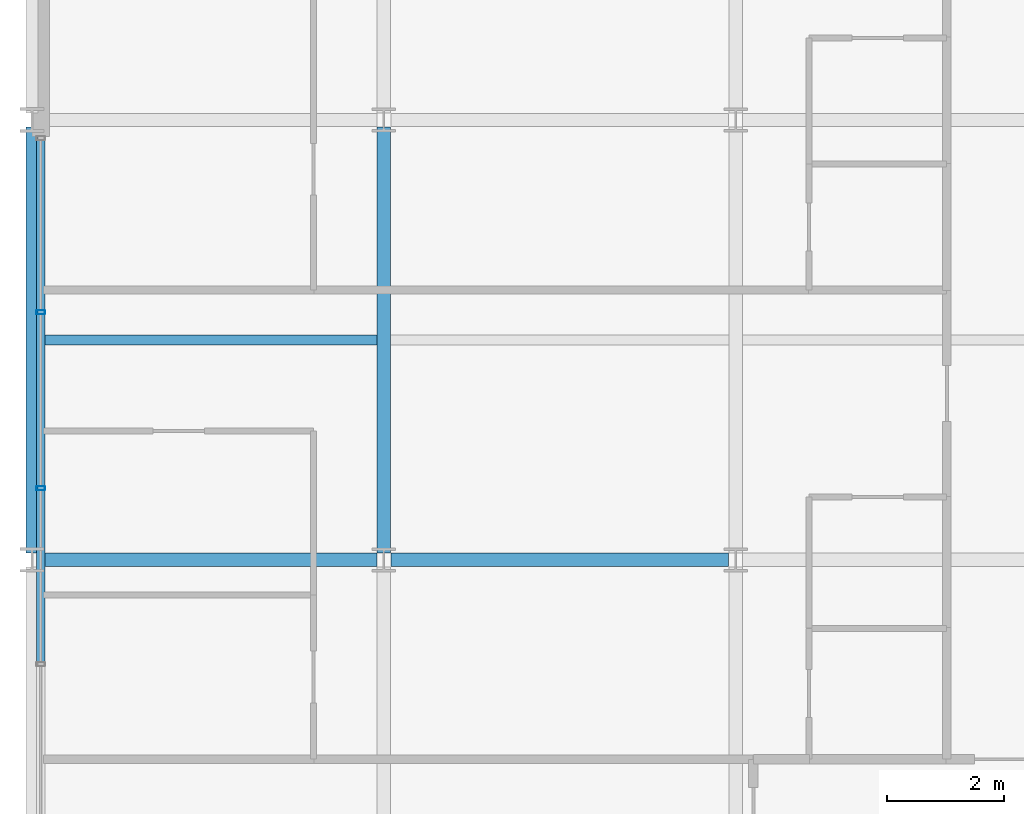
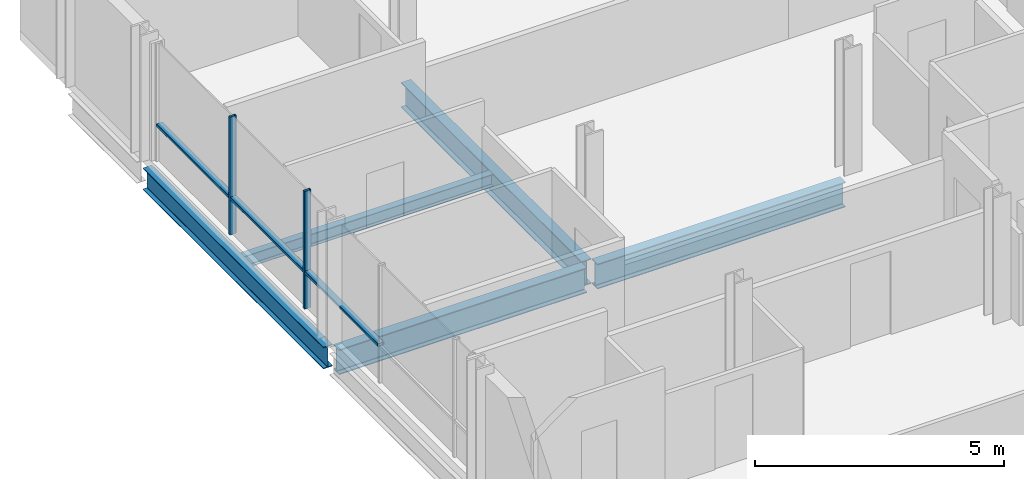
# One storey, part 7 of 41: 5 beams, 5 members, 1 element without a shape of its own.
"""IFC4 building model written with IfcOpenShell, lengths in metres."""

from ifc_helpers import new_model, si_unit, direction, frame, origin, origin_2d, place, context, subcontext, project, spatial, hollow_rectangle, i_section, extrude, material, layer, layer_set, material_profile, profile_set, type_object, element, aggregate, save


model = new_model("IFC4")

# Units and contexts
model_context = context("Model", 3, precision=1e-05, world=origin(), true_north=direction((0.0, 1.0)))
body_context = subcontext(model_context, "Body", "Model", "MODEL_VIEW")
ifc_project = project(units=[si_unit("LENGTHUNIT", "METRE"), si_unit("AREAUNIT", "SQUARE_METRE"), si_unit("VOLUMEUNIT", "CUBIC_METRE"), si_unit("PLANEANGLEUNIT", "RADIAN"), si_unit("MASSUNIT", "GRAM", prefix="KILO")], contexts=[model_context])

# Site, building, storey
site_placement = place(None, origin())
site = spatial("IfcSite", under=ifc_project, at=site_placement, CompositionType="ELEMENT")
building_placement = place(site_placement, origin())
building = spatial("IfcBuilding", under=site, at=building_placement, Name="Brevholm Reach", CompositionType="ELEMENT")
storey_placement = place(building_placement, frame((0.0, 0.0, 169.699951171875)))
storey = spatial("IfcBuildingStorey", under=building, at=storey_placement, Name="L51", CompositionType="ELEMENT", Elevation=169.699951171875)

# Beams
ifc_material_1 = material(Name="Structural Steel S355J2", Category="steel")
ifc_material_profile_1 = material_profile(ifc_material_1, i_section(OverallWidth=0.1650390625, OverallDepth=0.303466796875, WebThickness=0.006103515625, FlangeThickness=0.01025390625, FilletRadius=0.0087890625, at=origin_2d()), Name="UKB 305x165x40")
ifc_profile_set_1 = profile_set([ifc_material_profile_1], Name="Structural Steel S355J2")
beam_type_1 = type_object("IfcBeamType", Name="BM-B305", PredefinedType="BEAM", material=ifc_profile_set_1)
beam_1_placement = place(storey_placement, frame((0.104736328125, 19.75, -0.37158203125), z_axis=(1.0, 0.0, 0.0), x_axis=(0.0, 1.0, 0.0)))
element("IfcBeam", 1, at=beam_1_placement, inside=storey, type_object=beam_type_1, Name="L51 Composite Secondary Floor Beam", PredefinedType="BEAM", context=body_context, shape_type="SweptSolid", body=[
    extrude(i_section(OverallWidth=0.1650390625, OverallDepth=0.303466796875, WebThickness=0.006103515625, FlangeThickness=0.01025390625, FilletRadius=0.0087890625, at=origin_2d()), origin(), (0.0, 0.0, 1.0), 5.78076171875),
])
ifc_material_2 = material(Name="Structural Steel S355J2", Category="steel")
ifc_material_profile_2 = material_profile(ifc_material_2, i_section(OverallWidth=0.209228515625, OverallDepth=0.533203125, WebThickness=0.010009765625, FlangeThickness=0.015625, FilletRadius=0.0126953125, at=origin_2d()), Name="UKB 533x210x92")
ifc_profile_set_2 = profile_set([ifc_material_profile_2], Name="Structural Steel S355J2")
beam_type_2 = type_object("IfcBeamType", Name="BM-SP533", PredefinedType="SPANDREL", material=ifc_profile_set_2)
beam_2_placement = place(storey_placement, frame((0.0, 16.1201171875, -0.486572265625), z_axis=(0.0, 1.0, 0.0), x_axis=(-1.0, 0.0, 0.0)))
element("IfcBeam", 2, at=beam_2_placement, inside=storey, type_object=beam_type_2, Name="L51 SP-02 Framing Beam", PredefinedType="SPANDREL", context=body_context, shape_type="SweptSolid", body=[
    extrude(i_section(OverallWidth=0.209228515625, OverallDepth=0.533203125, WebThickness=0.010009765625, FlangeThickness=0.015625, FilletRadius=0.0126953125, at=origin_2d()), origin(), (0.0, 0.0, 1.0), 7.259765625),
])
ifc_material_3 = material(Name="Structural Steel S355J2", Category="steel")
ifc_material_profile_3 = material_profile(ifc_material_3, i_section(OverallWidth=0.22900390625, OverallDepth=0.6123046875, WebThickness=0.011962890625, FlangeThickness=0.01953125, FilletRadius=0.0126953125, at=origin_2d()), Name="UKB 610x229x125")
ifc_profile_set_3 = profile_set([ifc_material_profile_3], Name="Structural Steel S355J2")
beam_type_3 = type_object("IfcBeamType", Name="BM-SP610", PredefinedType="SPANDREL", material=ifc_profile_set_3)
for number, where, z_axis, x_axis, name in (
    (3, (0.1201171875, 16.0, -0.526123046875), (1.0, 0.0, 0.0), (0.0, 1.0, 0.0), "L51 SP-01 Framing Beam"),
    (4, (6.1201171875, 16.0, -0.526123046875), (1.0, 0.0, 0.0), (0.0, 1.0, 0.0), "L51 SP-01 Framing Beam"),
):
    element("IfcBeam", number, at=place(storey_placement, frame(where, z_axis=z_axis, x_axis=x_axis)), inside=storey, type_object=beam_type_3, Name=name, PredefinedType="SPANDREL", context=body_context, shape_type="SweptSolid", body=[
        extrude(i_section(OverallWidth=0.22900390625, OverallDepth=0.6123046875, WebThickness=0.011962890625, FlangeThickness=0.01953125, FilletRadius=0.0126953125, at=origin_2d()), origin(), (0.0, 0.0, 1.0), 5.759765625),
    ])
beam_3_placement = place(storey_placement, frame((6.0, 16.1201171875, -0.526123046875), z_axis=(0.0, 1.0, 0.0), x_axis=(-1.0, 0.0, 0.0)))
element("IfcBeam", 5, at=beam_3_placement, inside=storey, type_object=beam_type_3, Name="L51 SP-01 Framing Beam", PredefinedType="SPANDREL", context=body_context, shape_type="SweptSolid", body=[
    extrude(i_section(OverallWidth=0.22900390625, OverallDepth=0.6123046875, WebThickness=0.011962890625, FlangeThickness=0.01953125, FilletRadius=0.0126953125, at=origin_2d()), origin(), (0.0, 0.0, 1.0), 7.259765625),
])

# Curtain wall, members
ifc_material_4 = material(Name="Dark Anodised Aluminium 6063-T6 and Solar-Control Glass", Category="aluminium")
ifc_layer = layer(ifc_material_4, 0.14990234375)
ifc_layer_set = layer_set([ifc_layer], Name="Dark Anodised Aluminium 6063-T6 and Solar-Control Glass")
curtain_wall_type = type_object("IfcCurtainWallType", Name="CW-01", PredefinedType="NOTDEFINED", material=ifc_layer_set)
curtain_wall_placement = place(storey_placement, origin())
curtain_wall = element("IfcCurtainWall", 6, at=curtain_wall_placement, inside=storey, type_object=curtain_wall_type, Name="L51 Curtain Wall CW-01", PredefinedType="NOTDEFINED")
ifc_material_5 = material(Name="Dark Anodised Aluminium 6063-T6", Category="aluminium")
ifc_material_profile_4 = material_profile(ifc_material_5, hollow_rectangle(XDim=0.06494140625, YDim=0.14990234375, WallThickness=0.0048828125, InnerFilletRadius=0.0048828125, OuterFilletRadius=0.010009765625, at=origin_2d()), Name="RHS 150x65x5")
ifc_profile_set_4 = profile_set([ifc_material_profile_4], Name="Dark Anodised Aluminium 6063-T6")
member_type_1 = type_object("IfcMemberType", Name="CWM-150", PredefinedType="MULLION", material=ifc_profile_set_4)
member_1_placement = place(storey_placement, frame((0.14990234375, 20.219970703125, 0.0), z_axis=(0.0, 0.0, 1.0), x_axis=(0.0, -1.0, 0.0)))
member_1 = element("IfcMember", 7, at=member_1_placement, type_object=member_type_1, Name="CM-150 Mullion 2", PredefinedType="MULLION", context=body_context, shape_type="SweptSolid", body=[
    extrude(hollow_rectangle(XDim=0.06494140625, YDim=0.14990234375, WallThickness=0.0048828125, InnerFilletRadius=0.0048828125, OuterFilletRadius=0.010009765625, at=origin_2d()), origin(), (0.0, 0.0, 1.0), 2.89013671875),
])
member_2_placement = place(storey_placement, frame((0.14990234375, 17.219970703125, 0.0), z_axis=(0.0, 0.0, 1.0), x_axis=(0.0, -1.0, 0.0)))
member_2 = element("IfcMember", 8, at=member_2_placement, type_object=member_type_1, Name="CM-150 Mullion 3", PredefinedType="MULLION", context=body_context, shape_type="SweptSolid", body=[
    extrude(hollow_rectangle(XDim=0.06494140625, YDim=0.14990234375, WallThickness=0.0048828125, InnerFilletRadius=0.0048828125, OuterFilletRadius=0.010009765625, at=origin_2d()), origin(), (0.0, 0.0, 1.0), 2.89013671875),
])
ifc_material_6 = material(Name="Dark Anodised Aluminium 6063-T6", Category="aluminium")
ifc_material_profile_5 = material_profile(ifc_material_6, hollow_rectangle(XDim=0.06494140625, YDim=0.14990234375, WallThickness=0.0048828125, InnerFilletRadius=0.0048828125, OuterFilletRadius=0.010009765625, at=origin_2d()), Name="RHS 150x65x5")
ifc_profile_set_5 = profile_set([ifc_material_profile_5], Name="Dark Anodised Aluminium 6063-T6")
member_type_2 = type_object("IfcMemberType", Name="CWT-150", PredefinedType="NOTDEFINED", material=ifc_profile_set_5)
member_3_placement = place(storey_placement, frame((0.14990234375, 23.155029296875, 0.900146484375), z_axis=(0.0, -1.0, 0.0), x_axis=(0.0, 0.0, 1.0)))
member_3 = element("IfcMember", 9, at=member_3_placement, type_object=member_type_2, Name="CT-150 Transom 1.1", ObjectType="TRANSOM", PredefinedType="USERDEFINED", context=body_context, shape_type="SweptSolid", body=[
    extrude(hollow_rectangle(XDim=0.06494140625, YDim=0.14990234375, WallThickness=0.0048828125, InnerFilletRadius=0.0048828125, OuterFilletRadius=0.010009765625, at=origin_2d()), origin(), (0.0, 0.0, 1.0), 2.902587890625),
])
member_4_placement = place(storey_placement, frame((0.14990234375, 20.1875, 0.900146484375), z_axis=(0.0, -1.0, 0.0), x_axis=(0.0, 0.0, 1.0)))
member_4 = element("IfcMember", 10, at=member_4_placement, type_object=member_type_2, Name="CT-150 Transom 2.1", ObjectType="TRANSOM", PredefinedType="USERDEFINED", context=body_context, shape_type="SweptSolid", body=[
    extrude(hollow_rectangle(XDim=0.06494140625, YDim=0.14990234375, WallThickness=0.0048828125, InnerFilletRadius=0.0048828125, OuterFilletRadius=0.010009765625, at=origin_2d()), origin(), (0.0, 0.0, 1.0), 2.93505859375),
])
member_5_placement = place(storey_placement, frame((0.14990234375, 17.1875, 0.900146484375), z_axis=(0.0, -1.0, 0.0), x_axis=(0.0, 0.0, 1.0)))
member_5 = element("IfcMember", 11, at=member_5_placement, type_object=member_type_2, Name="CT-150 Transom 3.1", ObjectType="TRANSOM", PredefinedType="USERDEFINED", context=body_context, shape_type="SweptSolid", body=[
    extrude(hollow_rectangle(XDim=0.06494140625, YDim=0.14990234375, WallThickness=0.0048828125, InnerFilletRadius=0.0048828125, OuterFilletRadius=0.010009765625, at=origin_2d()), origin(), (0.0, 0.0, 1.0), 2.93505859375),
])
aggregate(curtain_wall, [member_1, member_2, member_3, member_4, member_5])

save(model, "model.ifc")
